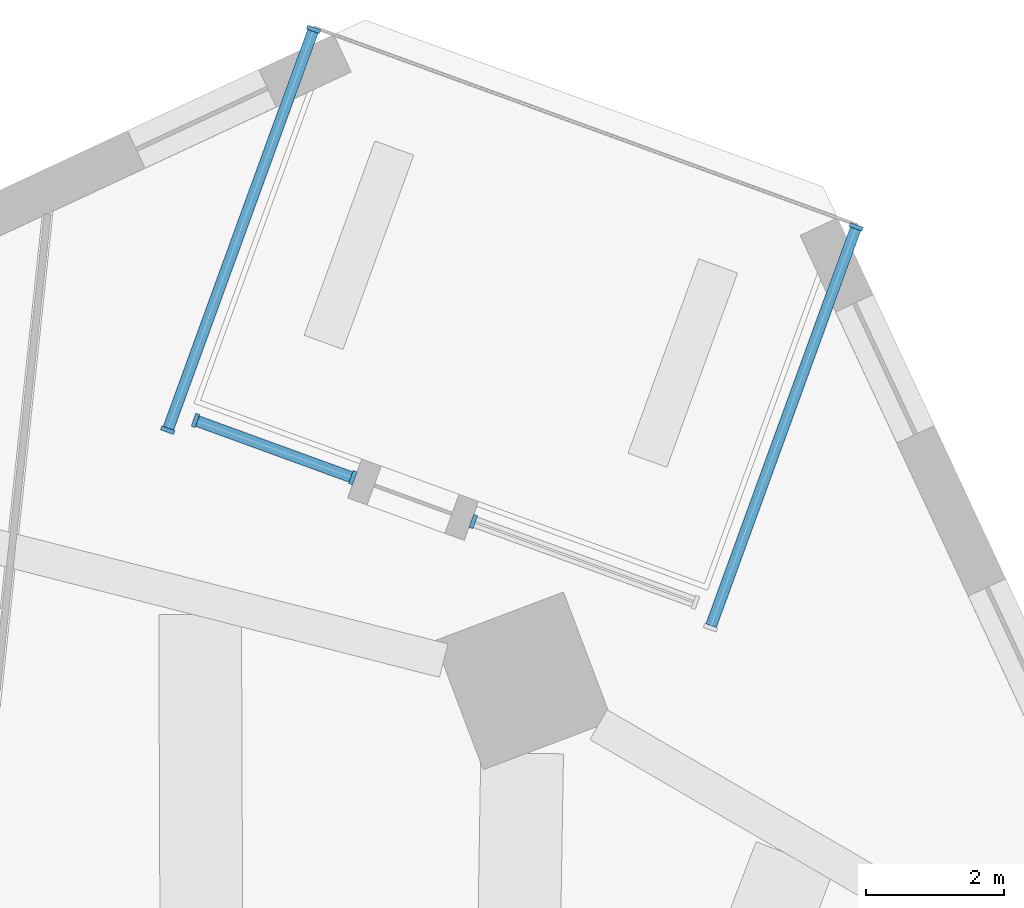
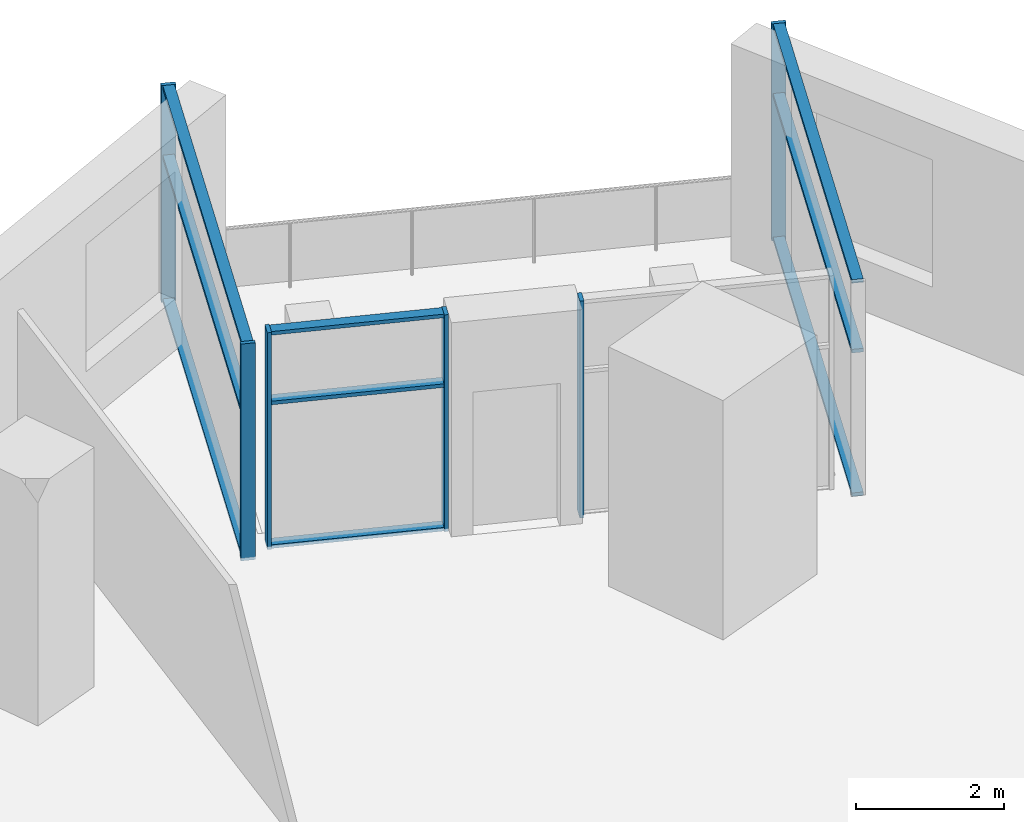
# One storey, part 4 of 12: 15 members, 4 elements without a shape of their own.
"""IFC4 building model written with IfcOpenShell, lengths in metres."""

from ifc_helpers import new_model, si_unit, direction, frame, origin, origin_2d, place, context, subcontext, project, spatial, rectangle, extrude, material, material_profile, profile_set, type_object, element, aggregate, save


model = new_model("IFC4")

# Units and contexts
model_context = context("Model", 3, precision=1e-05, world=origin(), true_north=direction((0.0, 1.0)))
body_context = subcontext(model_context, "Body", "Model", "MODEL_VIEW")
ifc_project = project(units=[si_unit("LENGTHUNIT", "METRE"), si_unit("AREAUNIT", "SQUARE_METRE"), si_unit("VOLUMEUNIT", "CUBIC_METRE"), si_unit("PLANEANGLEUNIT", "RADIAN"), si_unit("MASSUNIT", "GRAM", prefix="KILO")], contexts=[model_context])

# Site, building, storey
site_placement = place(None, origin())
site = spatial("IfcSite", under=ifc_project, at=site_placement, CompositionType="ELEMENT")
building_placement = place(site_placement, origin())
building = spatial("IfcBuilding", under=site, at=building_placement, Name="Dilmun Exchange Tower", CompositionType="ELEMENT")
storey_placement = place(building_placement, frame((0.0, 0.0, 122.10009765625)))
storey = spatial("IfcBuildingStorey", under=building, at=storey_placement, Name="L28", CompositionType="ELEMENT", Elevation=122.10009765625)

# Curtain wall, member
ifc_material_1 = material(Name="Anodised aluminium and clear glass", Category="aluminium")
curtain_wall_type = type_object("IfcCurtainWallType", Name="Garden corner glazing", PredefinedType="NOTDEFINED", material=ifc_material_1)
curtain_wall_1_placement = place(storey_placement, origin())
curtain_wall_1 = element("IfcCurtainWall", 1, at=curtain_wall_1_placement, inside=storey, type_object=curtain_wall_type, Name="Garden corner glazing run GC1.1", PredefinedType="NOTDEFINED")
ifc_material_2 = material(Name="Anodised aluminium", Category="aluminium")
ifc_material_profile_1 = material_profile(ifc_material_2, rectangle(XDim=0.199951171875, YDim=0.06005859375, at=origin_2d()), Name="AL 60x200")
ifc_profile_set_1 = profile_set([ifc_material_profile_1], Name="Anodised aluminium")
member_type_1 = type_object("IfcMemberType", Name="Garden corner glazing mullion 60 x 200", PredefinedType="MULLION", material=ifc_profile_set_1)
member_1_placement = place(storey_placement, frame((17.951904296875, 32.939697265625, 0.0), z_axis=(0.0, 0.0, 1.0), x_axis=(0.939694291986, -0.342015551708, 0.0)))
member_1 = element("IfcMember", 2, at=member_1_placement, type_object=member_type_1, Name="GC1.1 mullion 1", PredefinedType="MULLION", context=body_context, shape_type="SweptSolid", body=[
    extrude(rectangle(XDim=0.199951171875, YDim=0.06005859375, at=origin_2d()), origin(), (0.0, 0.0, 1.0), 3.579833984375),
])

curtain_wall_2_placement = place(storey_placement, origin())
curtain_wall_2 = element("IfcCurtainWall", 3, at=curtain_wall_2_placement, inside=storey, type_object=curtain_wall_type, Name="Garden corner glazing run GC2.1", PredefinedType="NOTDEFINED")
member_2_placement = place(storey_placement, frame((12.39599609375, 28.665771484375, 0.0), z_axis=(0.0, 0.0, 1.0), x_axis=(-0.342032997842, -0.939687942025, 0.0)))
member_2 = element("IfcMember", 4, at=member_2_placement, type_object=member_type_1, Name="GC2.1 mullion 2", PredefinedType="MULLION", context=body_context, shape_type="SweptSolid", body=[
    extrude(rectangle(XDim=0.199951171875, YDim=0.06005859375, at=origin_2d()), origin(), (0.0, 0.0, 1.0), 3.579833984375),
])
aggregate(curtain_wall_2, [member_2])

# Curtain wall, members
curtain_wall_3_placement = place(storey_placement, origin())
curtain_wall_3 = element("IfcCurtainWall", 5, at=curtain_wall_3_placement, inside=storey, type_object=curtain_wall_type, Name="Garden corner glazing run GC2.3", PredefinedType="NOTDEFINED")
member_3_placement = place(storey_placement, frame((10.648193359375, 29.3017578125, 0.0), z_axis=(0.0, 0.0, 1.0), x_axis=(-0.342010785593, -0.939696026669, 0.0)))
member_3 = element("IfcMember", 6, at=member_3_placement, type_object=member_type_1, Name="GC2.3 mullion 1", PredefinedType="MULLION", context=body_context, shape_type="SweptSolid", body=[
    extrude(rectangle(XDim=0.199951171875, YDim=0.06005859375, at=origin_2d()), origin(), (0.0, 0.0, 1.0), 3.579833984375),
])
member_4_placement = place(storey_placement, frame((8.365478515625, 30.132568359375, 0.0), z_axis=(0.0, 0.0, 1.0), x_axis=(-0.342010785593, -0.939696026669, 0.0)))
member_4 = element("IfcMember", 7, at=member_4_placement, type_object=member_type_1, Name="GC2.3 mullion 2", PredefinedType="MULLION", context=body_context, shape_type="SweptSolid", body=[
    extrude(rectangle(XDim=0.199951171875, YDim=0.06005859375, at=origin_2d()), origin(), (0.0, 0.0, 1.0), 3.579833984375),
])

curtain_wall_4_placement = place(storey_placement, origin())
curtain_wall_4 = element("IfcCurtainWall", 8, at=curtain_wall_4_placement, inside=storey, type_object=curtain_wall_type, Name="Garden corner glazing run GC3.1", PredefinedType="NOTDEFINED")
member_5_placement = place(storey_placement, frame((7.963134765625, 29.99169921875, 0.0), z_axis=(0.0, 0.0, 1.0), x_axis=(-0.939694291986, 0.342015551708, 0.0)))
member_5 = element("IfcMember", 9, at=member_5_placement, type_object=member_type_1, Name="GC3.1 mullion 1", PredefinedType="MULLION", context=body_context, shape_type="SweptSolid", body=[
    extrude(rectangle(XDim=0.199951171875, YDim=0.06005859375, at=origin_2d()), origin(), (0.0, 0.0, 1.0), 3.579833984375),
])
member_6_placement = place(storey_placement, frame((10.0791015625, 35.80517578125, 0.0), z_axis=(0.0, 0.0, 1.0), x_axis=(-0.939694291986, 0.342015551708, 0.0)))
member_6 = element("IfcMember", 10, at=member_6_placement, type_object=member_type_1, Name="GC3.1 mullion 2", PredefinedType="MULLION", context=body_context, shape_type="SweptSolid", body=[
    extrude(rectangle(XDim=0.199951171875, YDim=0.06005859375, at=origin_2d()), origin(), (0.0, 0.0, 1.0), 3.579833984375),
])

# Member
ifc_material_profile_2 = material_profile(ifc_material_2, rectangle(XDim=0.159912109375, YDim=0.06005859375, at=origin_2d()), Name="AL 60x160")
ifc_profile_set_2 = profile_set([ifc_material_profile_2], Name="Anodised aluminium")
member_type_2 = type_object("IfcMemberType", Name="Garden corner glazing transom 60 x 160", PredefinedType="USERDEFINED", material=ifc_profile_set_2)
member_7_placement = place(storey_placement, frame((17.941650390625, 32.91162109375, 0.02978515625), z_axis=(-0.341992622513, -0.939702637086, 0.0), x_axis=(0.939702637086, -0.341992622513, 0.0)))
member_7 = element("IfcMember", 11, at=member_7_placement, type_object=member_type_2, Name="GC1.1 transom 1.1", ObjectType="TRANSOM", PredefinedType="USERDEFINED", context=body_context, shape_type="SweptSolid", body=[
    extrude(rectangle(XDim=0.159912109375, YDim=0.06005859375, at=origin_2d()), origin(), (0.0, 0.0, 1.0), 6.12646484375),
])

member_8_placement = place(storey_placement, frame((17.941650390625, 32.91162109375, 2.39990234375), z_axis=(-0.341992622513, -0.939702637086, 0.0), x_axis=(0.939702637086, -0.341992622513, 0.0)))
member_8 = element("IfcMember", 12, at=member_8_placement, type_object=member_type_2, Name="GC1.1 transom 1.2", ObjectType="TRANSOM", PredefinedType="USERDEFINED", context=body_context, shape_type="SweptSolid", body=[
    extrude(rectangle(XDim=0.159912109375, YDim=0.06005859375, at=origin_2d()), origin(), (0.0, 0.0, 1.0), 6.12646484375),
])

member_9_placement = place(storey_placement, frame((17.941650390625, 32.91162109375, 3.5498046875), z_axis=(-0.341992622513, -0.939702637086, 0.0), x_axis=(0.939702637086, -0.341992622513, 0.0)))
member_9 = element("IfcMember", 13, at=member_9_placement, type_object=member_type_2, Name="GC1.1 transom 1.3", ObjectType="TRANSOM", PredefinedType="USERDEFINED", context=body_context, shape_type="SweptSolid", body=[
    extrude(rectangle(XDim=0.159912109375, YDim=0.06005859375, at=origin_2d()), origin(), (0.0, 0.0, 1.0), 6.12646484375),
])

aggregate(curtain_wall_1, [member_1, member_7, member_8, member_9])

member_10_placement = place(storey_placement, frame((10.6201171875, 29.31201171875, 0.02978515625), z_axis=(-0.939694096766, 0.342016088076, 0.0), x_axis=(-0.342016088076, -0.939694096766, 0.0)))
member_10 = element("IfcMember", 14, at=member_10_placement, type_object=member_type_2, Name="GC2.3 transom 1.1", ObjectType="TRANSOM", PredefinedType="USERDEFINED", context=body_context, shape_type="SweptSolid", body=[
    extrude(rectangle(XDim=0.159912109375, YDim=0.06005859375, at=origin_2d()), origin(), (0.0, 0.0, 1.0), 2.369140625),
])

member_11_placement = place(storey_placement, frame((10.6201171875, 29.31201171875, 2.39990234375), z_axis=(-0.939694096766, 0.342016088076, 0.0), x_axis=(-0.342016088076, -0.939694096766, 0.0)))
member_11 = element("IfcMember", 15, at=member_11_placement, type_object=member_type_2, Name="GC2.3 transom 1.2", ObjectType="TRANSOM", PredefinedType="USERDEFINED", context=body_context, shape_type="SweptSolid", body=[
    extrude(rectangle(XDim=0.159912109375, YDim=0.06005859375, at=origin_2d()), origin(), (0.0, 0.0, 1.0), 2.369140625),
])

member_12_placement = place(storey_placement, frame((10.6201171875, 29.31201171875, 3.5498046875), z_axis=(-0.939694096766, 0.342016088076, 0.0), x_axis=(-0.342016088076, -0.939694096766, 0.0)))
member_12 = element("IfcMember", 16, at=member_12_placement, type_object=member_type_2, Name="GC2.3 transom 1.3", ObjectType="TRANSOM", PredefinedType="USERDEFINED", context=body_context, shape_type="SweptSolid", body=[
    extrude(rectangle(XDim=0.159912109375, YDim=0.06005859375, at=origin_2d()), origin(), (0.0, 0.0, 1.0), 2.369140625),
])

aggregate(curtain_wall_3, [member_3, member_4, member_10, member_11, member_12])

member_13_placement = place(storey_placement, frame((7.973388671875, 30.02001953125, 0.02978515625), z_axis=(0.342027810971, 0.939689829956, 0.0), x_axis=(-0.939689829956, 0.342027810971, 0.0)))
member_13 = element("IfcMember", 17, at=member_13_placement, type_object=member_type_2, Name="GC3.1 transom 1.1", ObjectType="TRANSOM", PredefinedType="USERDEFINED", context=body_context, shape_type="SweptSolid", body=[
    extrude(rectangle(XDim=0.159912109375, YDim=0.06005859375, at=origin_2d()), origin(), (0.0, 0.0, 1.0), 6.12646484375),
])

member_14_placement = place(storey_placement, frame((7.973388671875, 30.02001953125, 2.39990234375), z_axis=(0.342027810971, 0.939689829956, 0.0), x_axis=(-0.939689829956, 0.342027810971, 0.0)))
member_14 = element("IfcMember", 18, at=member_14_placement, type_object=member_type_2, Name="GC3.1 transom 1.2", ObjectType="TRANSOM", PredefinedType="USERDEFINED", context=body_context, shape_type="SweptSolid", body=[
    extrude(rectangle(XDim=0.159912109375, YDim=0.06005859375, at=origin_2d()), origin(), (0.0, 0.0, 1.0), 6.12646484375),
])

member_15_placement = place(storey_placement, frame((7.973388671875, 30.02001953125, 3.5498046875), z_axis=(0.342027810971, 0.939689829956, 0.0), x_axis=(-0.939689829956, 0.342027810971, 0.0)))
member_15 = element("IfcMember", 19, at=member_15_placement, type_object=member_type_2, Name="GC3.1 transom 1.3", ObjectType="TRANSOM", PredefinedType="USERDEFINED", context=body_context, shape_type="SweptSolid", body=[
    extrude(rectangle(XDim=0.159912109375, YDim=0.06005859375, at=origin_2d()), origin(), (0.0, 0.0, 1.0), 6.12646484375),
])

aggregate(curtain_wall_4, [member_5, member_6, member_13, member_14, member_15])

save(model, "model.ifc")
